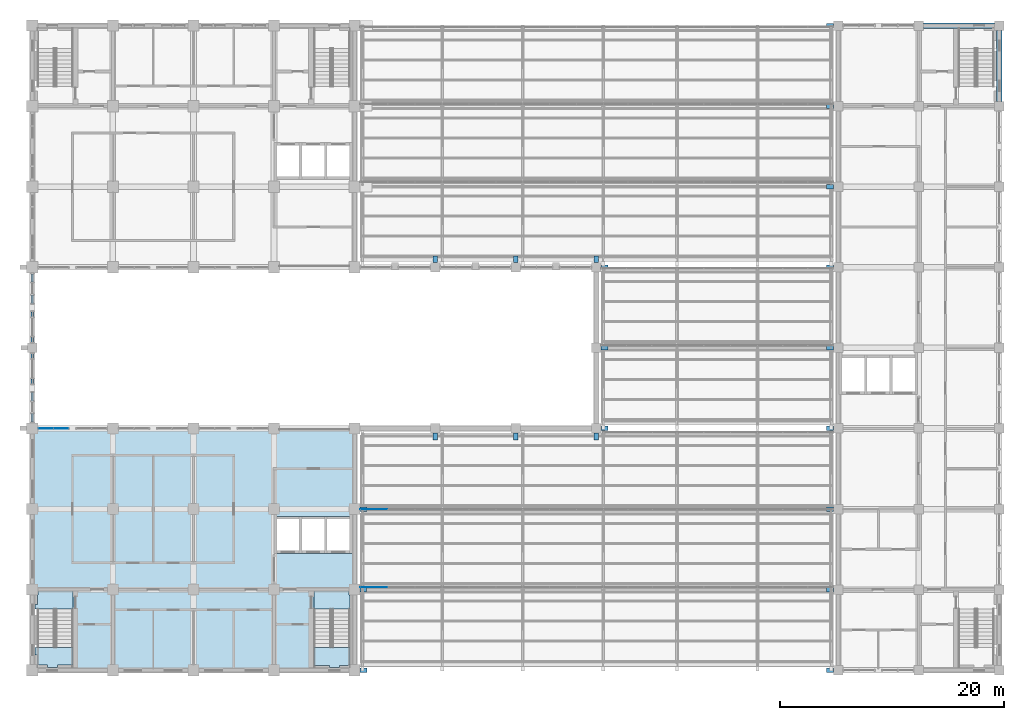
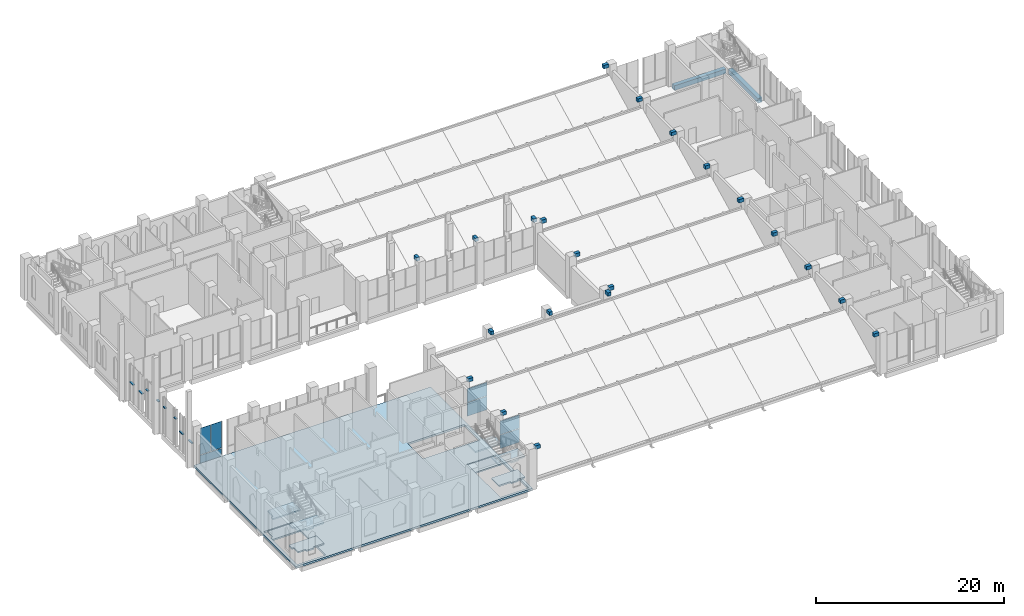
# One storey, part 59 of 83: 29 members, 9 slabs, 7 plates, 2 beams, 9 elements without a shape of their own.
"""IFC4 building model written with IfcOpenShell, lengths in metres."""

from ifc_helpers import new_model, si_unit, direction, frame, origin, origin_2d, place, context, subcontext, project, spatial, polyline, rectangle, hollow_rectangle, outline, extrude, material, layer, layer_set, material_profile, profile_set, type_object, element, aggregate, save


model = new_model("IFC4")

# Units and contexts
model_context = context("Model", 3, precision=1e-05, world=origin(), true_north=direction((0.0, 1.0)))
body_context = subcontext(model_context, "Body", "Model", "MODEL_VIEW")
ifc_project = project(units=[si_unit("LENGTHUNIT", "METRE"), si_unit("AREAUNIT", "SQUARE_METRE"), si_unit("VOLUMEUNIT", "CUBIC_METRE"), si_unit("PLANEANGLEUNIT", "RADIAN"), si_unit("MASSUNIT", "GRAM", prefix="KILO")], contexts=[model_context])

# Site, building, storey
site_placement = place(None, origin())
site = spatial("IfcSite", under=ifc_project, at=site_placement, CompositionType="ELEMENT")
building_placement = place(site_placement, origin())
building = spatial("IfcBuilding", under=site, at=building_placement, Name="Silangan Lancet Faculty of Sciences", CompositionType="ELEMENT")
storey_placement = place(building_placement, frame((0.0, 0.0, 11.39990234375)))
storey = spatial("IfcBuildingStorey", under=building, at=storey_placement, Name="L02", CompositionType="ELEMENT", Elevation=11.39990234375)

# Beams
ifc_material_1 = material(Name="Concrete C40/50", Category="concrete")
ifc_material_profile_1 = material_profile(ifc_material_1, rectangle(XDim=0.5, YDim=0.60009765625, at=origin_2d()), Name="RC 500x600")
ifc_profile_set_1 = profile_set([ifc_material_profile_1], Name="Concrete C40/50")
beam_type = type_object("IfcBeamType", Name="BEAM RC 500x600", PredefinedType="BEAM", material=ifc_profile_set_1)
for number, where, z_axis, x_axis, name in (
    (1, (79.625, 57.60009765625, -0.5498046875), (1.0, 0.0, 0.0), (0.0, 1.0, 0.0), "BM-L02-12I-13I"),
    (2, (86.39990234375, 50.824951171875, -0.5498046875), (0.0, 1.0, 0.0), (-1.0, 0.0, 0.0), "BM-L02-13H-13I"),
):
    element("IfcBeam", number, at=place(storey_placement, frame(where, z_axis=z_axis, x_axis=x_axis)), inside=storey, type_object=beam_type, Name=name, PredefinedType="BEAM", context=body_context, shape_type="SweptSolid", body=[
        extrude(rectangle(XDim=0.5, YDim=0.60009765625, at=origin_2d()), origin(), (0.0, 0.0, 1.0), 6.35009765625),
    ])

# Curtain wall, members
ifc_material_2 = material(Name="Aluminium framed curtain wall with insulated glass", Category="aluminium")
curtain_wall_type_1 = type_object("IfcCurtainWallType", Name="CW3 West stepped lancet window", PredefinedType="NOTDEFINED", material=ifc_material_2)
curtain_wall_1_placement = place(storey_placement, origin())
curtain_wall_1 = element("IfcCurtainWall", 3, at=curtain_wall_1_placement, inside=storey, type_object=curtain_wall_type_1, Name="CW3 West window L02 bay 1", PredefinedType="NOTDEFINED")
ifc_material_3 = material(Name="Aluminium 6063-T6 extrusion", Category="aluminium")
ifc_material_profile_2 = material_profile(ifc_material_3, hollow_rectangle(XDim=0.25, YDim=0.10009765625, WallThickness=0.0048828125, at=origin_2d()), Name="AL BOX 250x100x5")
ifc_profile_set_2 = profile_set([ifc_material_profile_2], Name="Aluminium 6063-T6 extrusion")
member_type_1 = type_object("IfcMemberType", Name="CT3 Transom 250x100", PredefinedType="USERDEFINED", material=ifc_profile_set_2)
member_1_placement = place(storey_placement, frame((0.0, 22.175048828125, 2.4501953125), z_axis=(0.0, 1.0, 0.0), x_axis=(-1.0, 0.0, 0.0)))
member_1 = element("IfcMember", 4, at=member_1_placement, type_object=member_type_1, Name="CW3 West window L02 bay 1 transom 1", ObjectType="TRANSOM", PredefinedType="USERDEFINED", context=body_context, shape_type="SweptSolid", body=[
    extrude(hollow_rectangle(XDim=0.25, YDim=0.10009765625, WallThickness=0.0048828125, at=origin_2d()), origin(), (0.0, 0.0, 1.0), 0.75),
])
member_2_placement = place(storey_placement, frame((0.0, 24.074951171875, 2.4501953125), z_axis=(0.0, 1.0, 0.0), x_axis=(-1.0, 0.0, 0.0)))
member_2 = element("IfcMember", 5, at=member_2_placement, type_object=member_type_1, Name="CW3 West window L02 bay 1 transom 2", ObjectType="TRANSOM", PredefinedType="USERDEFINED", context=body_context, shape_type="SweptSolid", body=[
    extrude(hollow_rectangle(XDim=0.25, YDim=0.10009765625, WallThickness=0.0048828125, at=origin_2d()), origin(), (0.0, 0.0, 1.0), 0.75),
])
aggregate(curtain_wall_1, [member_1, member_2])

ifc_material_4 = material(Name="Aluminium framed curtain wall with insulated glass", Category="aluminium")
curtain_wall_type_2 = type_object("IfcCurtainWallType", Name="CW6 West window middle bays", PredefinedType="NOTDEFINED", material=ifc_material_4)
curtain_wall_2_placement = place(storey_placement, origin())
curtain_wall_2 = element("IfcCurtainWall", 6, at=curtain_wall_2_placement, inside=storey, type_object=curtain_wall_type_2, Name="CW6 West window L02 bay 2", PredefinedType="NOTDEFINED")
member_3_placement = place(storey_placement, frame((0.0, 25.574951171875, 3.550048828125), z_axis=(0.0, 1.0, 0.0), x_axis=(-1.0, 0.0, 0.0)))
member_3 = element("IfcMember", 7, at=member_3_placement, type_object=member_type_1, Name="CW6 West window L02 bay 2 transom 1", ObjectType="TRANSOM", PredefinedType="USERDEFINED", context=body_context, shape_type="SweptSolid", body=[
    extrude(hollow_rectangle(XDim=0.25, YDim=0.10009765625, WallThickness=0.0048828125, at=origin_2d()), origin(), (0.0, 0.0, 1.0), 0.449951171875),
])
member_4_placement = place(storey_placement, frame((0.0, 27.85009765625, 3.550048828125), z_axis=(0.0, 1.0, 0.0), x_axis=(-1.0, 0.0, 0.0)))
member_4 = element("IfcMember", 8, at=member_4_placement, type_object=member_type_1, Name="CW6 West window L02 bay 2 transom 2", ObjectType="TRANSOM", PredefinedType="USERDEFINED", context=body_context, shape_type="SweptSolid", body=[
    extrude(hollow_rectangle(XDim=0.25, YDim=0.10009765625, WallThickness=0.0048828125, at=origin_2d()), origin(), (0.0, 0.0, 1.0), 0.449951171875),
])
aggregate(curtain_wall_2, [member_3, member_4])

curtain_wall_3_placement = place(storey_placement, origin())
curtain_wall_3 = element("IfcCurtainWall", 9, at=curtain_wall_3_placement, inside=storey, type_object=curtain_wall_type_2, Name="CW6 West window L02 bay 3", PredefinedType="NOTDEFINED")
member_5_placement = place(storey_placement, frame((0.0, 29.300048828125, 3.550048828125), z_axis=(0.0, 1.0, 0.0), x_axis=(-1.0, 0.0, 0.0)))
member_5 = element("IfcMember", 10, at=member_5_placement, type_object=member_type_1, Name="CW6 West window L02 bay 3 transom 1", ObjectType="TRANSOM", PredefinedType="USERDEFINED", context=body_context, shape_type="SweptSolid", body=[
    extrude(hollow_rectangle(XDim=0.25, YDim=0.10009765625, WallThickness=0.0048828125, at=origin_2d()), origin(), (0.0, 0.0, 1.0), 0.449951171875),
])
member_6_placement = place(storey_placement, frame((0.0, 31.574951171875, 3.550048828125), z_axis=(0.0, 1.0, 0.0), x_axis=(-1.0, 0.0, 0.0)))
member_6 = element("IfcMember", 11, at=member_6_placement, type_object=member_type_1, Name="CW6 West window L02 bay 3 transom 2", ObjectType="TRANSOM", PredefinedType="USERDEFINED", context=body_context, shape_type="SweptSolid", body=[
    extrude(hollow_rectangle(XDim=0.25, YDim=0.10009765625, WallThickness=0.0048828125, at=origin_2d()), origin(), (0.0, 0.0, 1.0), 0.449951171875),
])
aggregate(curtain_wall_3, [member_5, member_6])

curtain_wall_4_placement = place(storey_placement, origin())
curtain_wall_4 = element("IfcCurtainWall", 12, at=curtain_wall_4_placement, inside=storey, type_object=curtain_wall_type_1, Name="CW3 West window L02 bay 4", PredefinedType="NOTDEFINED")
member_7_placement = place(storey_placement, frame((0.0, 32.77490234375, 2.4501953125), z_axis=(0.0, 1.0, 0.0), x_axis=(-1.0, 0.0, 0.0)))
member_7 = element("IfcMember", 13, at=member_7_placement, type_object=member_type_1, Name="CW3 West window L02 bay 4 transom 1", ObjectType="TRANSOM", PredefinedType="USERDEFINED", context=body_context, shape_type="SweptSolid", body=[
    extrude(hollow_rectangle(XDim=0.25, YDim=0.10009765625, WallThickness=0.0048828125, at=origin_2d()), origin(), (0.0, 0.0, 1.0), 0.75),
])
member_8_placement = place(storey_placement, frame((0.0, 34.675048828125, 2.4501953125), z_axis=(0.0, 1.0, 0.0), x_axis=(-1.0, 0.0, 0.0)))
member_8 = element("IfcMember", 14, at=member_8_placement, type_object=member_type_1, Name="CW3 West window L02 bay 4 transom 2", ObjectType="TRANSOM", PredefinedType="USERDEFINED", context=body_context, shape_type="SweptSolid", body=[
    extrude(hollow_rectangle(XDim=0.25, YDim=0.10009765625, WallThickness=0.0048828125, at=origin_2d()), origin(), (0.0, 0.0, 1.0), 0.75),
])
aggregate(curtain_wall_4, [member_7, member_8])

# Members
ifc_material_5 = material(Name="Concrete C40/50 precast", Category="concrete")
ifc_material_profile_3 = material_profile(ifc_material_5, rectangle(XDim=0.39990234375, YDim=0.449951171875, at=origin_2d()), Name="RC 400x450")
ifc_profile_set_3 = profile_set([ifc_material_profile_3], Name="Concrete C40/50 precast")
member_type_2 = type_object("IfcMemberType", Name="KC2 Buttress corbel 400x450", PredefinedType="USERDEFINED", material=ifc_profile_set_3)
member_9_placement = place(storey_placement, frame((29.300048828125, 0.0, 5.175048828125), z_axis=(1.0, 0.0, 0.0), x_axis=(0.0, 1.0, 0.0)))
element("IfcMember", 15, at=member_9_placement, inside=storey, type_object=member_type_2, Name="CORBEL-FINC-E-ST-01", ObjectType="CORBEL", PredefinedType="USERDEFINED", context=body_context, shape_type="SweptSolid", body=[
    extrude(rectangle(XDim=0.39990234375, YDim=0.449951171875, at=origin_2d()), origin(), (0.0, 0.0, 1.0), 0.60009765625),
])
member_10_placement = place(storey_placement, frame((29.300048828125, 7.199951171875, 5.175048828125), z_axis=(1.0, 0.0, 0.0), x_axis=(0.0, 1.0, 0.0)))
element("IfcMember", 16, at=member_10_placement, inside=storey, type_object=member_type_2, Name="CORBEL-FINC-E-ST-02", ObjectType="CORBEL", PredefinedType="USERDEFINED", context=body_context, shape_type="SweptSolid", body=[
    extrude(rectangle(XDim=0.39990234375, YDim=0.449951171875, at=origin_2d()), origin(), (0.0, 0.0, 1.0), 0.550048828125),
])
for number, where, z_axis, x_axis, name in (
    (17, (29.300048828125, 14.39990234375, 5.175048828125), (1.0, 0.0, 0.0), (0.0, 1.0, 0.0), "CORBEL-FINC-E-ST-03"),
    (18, (36.0, 21.175048828125, 5.175048828125), (0.0, -1.0, 0.0), (1.0, 0.0, 0.0), "CORBEL-FINC-S-NAVE-CL-01"),
    (19, (36.0, 36.425048828125, 5.175048828125), (0.0, 1.0, 0.0), (-1.0, 0.0, 0.0), "CORBEL-FINC-N-NAVE-CL-01"),
    (20, (43.199951171875, 21.175048828125, 5.175048828125), (0.0, -1.0, 0.0), (1.0, 0.0, 0.0), "CORBEL-FINC-S-NAVE-CL-02"),
    (21, (43.199951171875, 36.425048828125, 5.175048828125), (0.0, 1.0, 0.0), (-1.0, 0.0, 0.0), "CORBEL-FINC-N-NAVE-CL-02"),
    (22, (50.39990234375, 21.175048828125, 5.175048828125), (0.0, -1.0, 0.0), (1.0, 0.0, 0.0), "CORBEL-FINC-S-NAVE-CL-03"),
    (23, (50.824951171875, 21.60009765625, 5.175048828125), (1.0, 0.0, 0.0), (0.0, 1.0, 0.0), "CORBEL-FINC-E-NAVE-01"),
    (24, (50.824951171875, 28.800048828125, 5.175048828125), (1.0, 0.0, 0.0), (0.0, 1.0, 0.0), "CORBEL-FINC-E-NAVE-02"),
    (25, (50.39990234375, 36.425048828125, 5.175048828125), (0.0, 1.0, 0.0), (-1.0, 0.0, 0.0), "CORBEL-FINC-N-NAVE-CL-03"),
    (26, (50.824951171875, 36.0, 5.175048828125), (1.0, 0.0, 0.0), (0.0, 1.0, 0.0), "CORBEL-FINC-E-NAVE-03"),
    (27, (71.574951171875, 0.0, 5.175048828125), (-1.0, 0.0, 0.0), (0.0, -1.0, 0.0), "CORBEL-FINC-W-EB-01"),
    (28, (71.574951171875, 7.199951171875, 5.175048828125), (-1.0, 0.0, 0.0), (0.0, -1.0, 0.0), "CORBEL-FINC-W-EB-02"),
    (29, (71.574951171875, 14.39990234375, 5.175048828125), (-1.0, 0.0, 0.0), (0.0, -1.0, 0.0), "CORBEL-FINC-W-EB-03"),
    (30, (71.574951171875, 21.60009765625, 5.175048828125), (-1.0, 0.0, 0.0), (0.0, -1.0, 0.0), "CORBEL-FINC-W-EB-04"),
    (31, (71.574951171875, 28.800048828125, 5.175048828125), (-1.0, 0.0, 0.0), (0.0, -1.0, 0.0), "CORBEL-FINC-W-EB-05"),
    (32, (71.574951171875, 36.0, 5.175048828125), (-1.0, 0.0, 0.0), (0.0, -1.0, 0.0), "CORBEL-FINC-W-EB-06"),
    (33, (71.574951171875, 43.199951171875, 5.175048828125), (-1.0, 0.0, 0.0), (0.0, -1.0, 0.0), "CORBEL-FINC-W-EB-07"),
    (34, (71.574951171875, 50.39990234375, 5.175048828125), (-1.0, 0.0, 0.0), (0.0, -1.0, 0.0), "CORBEL-FINC-W-EB-08"),
    (35, (71.574951171875, 57.60009765625, 5.175048828125), (-1.0, 0.0, 0.0), (0.0, -1.0, 0.0), "CORBEL-FINC-W-EB-09"),
):
    element("IfcMember", number, at=place(storey_placement, frame(where, z_axis=z_axis, x_axis=x_axis)), inside=storey, type_object=member_type_2, Name=name, ObjectType="CORBEL", PredefinedType="USERDEFINED", context=body_context, shape_type="SweptSolid", body=[
        extrude(rectangle(XDim=0.39990234375, YDim=0.449951171875, at=origin_2d()), origin(), (0.0, 0.0, 1.0), 0.60009765625),
    ])

# Curtain wall, plates
ifc_material_6 = material(Name="Aluminium framed curtain wall with insulated glass", Category="aluminium")
curtain_wall_type_3 = type_object("IfcCurtainWallType", Name="CW2 Atrium fire-resisting screen", PredefinedType="NOTDEFINED", material=ifc_material_6)
curtain_wall_5_placement = place(storey_placement, origin())
curtain_wall_5 = element("IfcCurtainWall", 36, at=curtain_wall_5_placement, inside=storey, type_object=curtain_wall_type_3, Name="CW2 Atrium south L02 bay 6", PredefinedType="NOTDEFINED")
ifc_material_7 = material(Name="Fire-resisting glass unit 40 mm, integrity E", Category="glass")
ifc_layer_1 = layer(ifc_material_7, 0.0400390625)
ifc_layer_set_1 = layer_set([ifc_layer_1], Name="Fire-resisting glass unit 40 mm, integrity E")
plate_type_1 = type_object("IfcPlateType", Name="CP3 Panel fire-resisting glass 40", PredefinedType="CURTAIN_PANEL", material=ifc_layer_set_1)
plate_1_placement = place(storey_placement, frame((1.900146484375, 21.60009765625, 0.000244140625), z_axis=(0.0, 0.0, 1.0), x_axis=(-1.0, 0.0, 0.0)))
plate_1 = element("IfcPlate", 37, at=plate_1_placement, type_object=plate_type_1, Name="CW2 Atrium south L02 bay 6 panel 1", PredefinedType="CURTAIN_PANEL", context=body_context, shape_type="SweptSolid", body=[
    extrude(rectangle(XDim=2.650146484375, YDim=0.0400390625, at=origin_2d()), origin(), (0.0, 0.0, 1.0), 1.02490234375),
])
plate_2_placement = place(storey_placement, frame((2.581298828125, 21.60009765625, 1.10009765625), z_axis=(0.0, 0.0, 1.0), x_axis=(-1.0, 0.0, 0.0)))
plate_2 = element("IfcPlate", 38, at=plate_2_placement, type_object=plate_type_1, Name="CW2 Atrium south L02 bay 6 panel 2", PredefinedType="CURTAIN_PANEL", context=body_context, shape_type="SweptSolid", body=[
    extrude(rectangle(XDim=1.28759765625, YDim=0.0400390625, at=origin_2d()), origin(), (0.0, 0.0, 1.0), 3.449951171875),
])
plate_3_placement = place(storey_placement, frame((1.21875, 21.60009765625, 1.10009765625), z_axis=(0.0, 0.0, 1.0), x_axis=(-1.0, 0.0, 0.0)))
plate_3 = element("IfcPlate", 39, at=plate_3_placement, type_object=plate_type_1, Name="CW2 Atrium south L02 bay 6 panel 3", PredefinedType="CURTAIN_PANEL", context=body_context, shape_type="SweptSolid", body=[
    extrude(rectangle(XDim=1.28759765625, YDim=0.0400390625, at=origin_2d()), origin(), (0.0, 0.0, 1.0), 3.449951171875),
])
aggregate(curtain_wall_5, [plate_1, plate_2, plate_3])

ifc_material_8 = material(Name="Aluminium and laminated glass", Category="aluminium")
curtain_wall_type_4 = type_object("IfcCurtainWallType", Name="North light glazing system", PredefinedType="NOTDEFINED", material=ifc_material_8)
curtain_wall_6_placement = place(storey_placement, origin())
curtain_wall_6 = element("IfcCurtainWall", 40, at=curtain_wall_6_placement, inside=storey, type_object=curtain_wall_type_4, Name="North light glazing SAB-1-1", PredefinedType="NOTDEFINED")
ifc_material_9 = material(Name="Laminated glass 12 + 12", Category="glass")
ifc_layer_2 = layer(ifc_material_9, 0.02392578125)
ifc_layer_set_2 = layer_set([ifc_layer_2], Name="Laminated glass 12 + 12")
plate_type_2 = type_object("IfcPlateType", Name="North light glass panel 2432x1768", PredefinedType="CURTAIN_PANEL", material=ifc_layer_set_2)
plate_4_placement = place(storey_placement, frame((29.300048828125, 7.40478515625, 0.4423828125), z_axis=(0.0, -1.0, 0.0), x_axis=(1.0, 0.0, 0.0)))
plate_4 = element("IfcPlate", 41, at=plate_4_placement, type_object=plate_type_2, Name="North light glass SAB-1-1 1-1", PredefinedType="CURTAIN_PANEL", context=body_context, shape_type="SweptSolid", body=[
    extrude(outline(polyline([(0.0, 0.0), (2.431640625, 0.0), (2.431640625, 1.76806640625), (0.0, 1.76806640625), (0.0, 0.0)])), origin(), (0.0, 0.0, -1.0), 0.02392578125),
])
plate_5_placement = place(storey_placement, frame((29.300048828125, 7.40478515625, 2.2705078125), z_axis=(0.0, -1.0, 0.0), x_axis=(1.0, 0.0, 0.0)))
plate_5 = element("IfcPlate", 42, at=plate_5_placement, type_object=plate_type_2, Name="North light glass SAB-1-1 2-1", PredefinedType="CURTAIN_PANEL", context=body_context, shape_type="SweptSolid", body=[
    extrude(outline(polyline([(0.0, 0.0), (2.431640625, 0.0), (2.431640625, 1.767822265625), (0.0, 1.767822265625), (0.0, 0.0)])), origin(), (0.0, 0.0, -1.0), 0.02392578125),
])
aggregate(curtain_wall_6, [plate_4, plate_5])

curtain_wall_7_placement = place(storey_placement, origin())
curtain_wall_7 = element("IfcCurtainWall", 43, at=curtain_wall_7_placement, inside=storey, type_object=curtain_wall_type_4, Name="North light glazing SAB-2-1", PredefinedType="NOTDEFINED")
plate_6_placement = place(storey_placement, frame((29.300048828125, 14.3662109375, 0.4423828125), z_axis=(0.0, -1.0, 0.0), x_axis=(1.0, 0.0, 0.0)))
plate_6 = element("IfcPlate", 44, at=plate_6_placement, type_object=plate_type_2, Name="North light glass SAB-2-1 1-1", PredefinedType="CURTAIN_PANEL", context=body_context, shape_type="SweptSolid", body=[
    extrude(outline(polyline([(0.0, 0.0), (2.431640625, 0.0), (2.431640625, 1.76806640625), (0.0, 1.76806640625), (0.0, 0.0)])), origin(), (0.0, 0.0, -1.0), 0.02392578125),
])
plate_7_placement = place(storey_placement, frame((29.300048828125, 14.3662109375, 2.2705078125), z_axis=(0.0, -1.0, 0.0), x_axis=(1.0, 0.0, 0.0)))
plate_7 = element("IfcPlate", 45, at=plate_7_placement, type_object=plate_type_2, Name="North light glass SAB-2-1 2-1", PredefinedType="CURTAIN_PANEL", context=body_context, shape_type="SweptSolid", body=[
    extrude(outline(polyline([(0.0, 0.0), (2.431640625, 0.0), (2.431640625, 1.767822265625), (0.0, 1.767822265625), (0.0, 0.0)])), origin(), (0.0, 0.0, -1.0), 0.02392578125),
])
aggregate(curtain_wall_7, [plate_6, plate_7])

# Slab
ifc_material_10 = material(Name="Concrete C35/45", Category="concrete")
ifc_layer_3 = layer(ifc_material_10, 0.25)
ifc_layer_set_3 = layer_set([ifc_layer_3], Name="Concrete C35/45")
slab_type_1 = type_object("IfcSlabType", Name="SLAB FLOOR 250", PredefinedType="FLOOR", material=ifc_layer_set_3)
slab_1_placement = place(storey_placement, frame((0.0, 0.0, -0.25)))
element("IfcSlab", 46, at=slab_1_placement, inside=storey, type_object=slab_type_1, Name="SLAB-L02-ST", PredefinedType="FLOOR", context=body_context, shape_type="SweptSolid", body=[
    extrude(outline(polyline([(-0.14990234375, 21.60009765625), (-0.14990234375, -0.14990234375), (28.949951171875, -0.14990234375), (28.949951171875, 21.60009765625), (-0.14990234375, 21.60009765625)]), holes=[polyline([(0.14990234375, 7.199951171875), (3.64990234375, 7.199951171875), (3.64990234375, 0.14990234375), (0.14990234375, 0.14990234375), (0.14990234375, 7.199951171875)]), polyline([(25.14990234375, 0.14990234375), (25.14990234375, 7.199951171875), (28.64990234375, 7.199951171875), (28.64990234375, 0.14990234375), (25.14990234375, 0.14990234375)]), polyline([(21.60009765625, 13.75), (28.60009765625, 13.75), (28.60009765625, 10.449951171875), (21.60009765625, 10.449951171875), (21.60009765625, 13.75)])]), origin(), (0.0, 0.0, 1.0), 0.25),
])

# Stair, slabs
ifc_material_11 = material(Name="Concrete C40/50", Category="concrete")
stair_type = type_object("IfcStairType", Name="TURRET STAIR 1550 FOUR-FLIGHT", PredefinedType="DOUBLE_RETURN_STAIR", material=ifc_material_11)
stair_1_placement = place(storey_placement, origin())
stair_1 = element("IfcStair", 47, at=stair_1_placement, inside=storey, type_object=stair_type, Name="ST-A stair L02", PredefinedType="DOUBLE_RETURN_STAIR")
ifc_material_12 = material(Name="Concrete C40/50", Category="concrete")
ifc_layer_4 = layer(ifc_material_12, 0.179931640625)
ifc_layer_set_4 = layer_set([ifc_layer_4], Name="Concrete C40/50")
slab_type_2 = type_object("IfcSlabType", Name="TURRET STAIR LANDING RC 180", PredefinedType="LANDING", material=ifc_layer_set_4)
slab_2_placement = place(storey_placement, frame((0.0, 0.0, -0.179931640625)))
slab_2 = element("IfcSlab", 48, at=slab_2_placement, type_object=slab_type_2, Name="STR1 landing 1", PredefinedType="LANDING", context=body_context, shape_type="SweptSolid", body=[
    extrude(outline(polyline([(3.64990234375, 7.074951171875), (3.64990234375, 5.449951171875), (0.22509765625, 5.449951171875), (0.22509765625, 5.85009765625), (0.449951171875, 5.85009765625), (0.449951171875, 6.699951171875), (0.5, 6.699951171875), (0.5, 7.074951171875), (3.64990234375, 7.074951171875)])), origin(), (0.0, 0.0, 1.0), 0.179931640625),
])
slab_3_placement = place(storey_placement, frame((0.0, 0.0, 1.170166015625)))
slab_3 = element("IfcSlab", 49, at=slab_3_placement, type_object=slab_type_2, Name="STR1 landing 2", PredefinedType="LANDING", context=body_context, shape_type="SweptSolid", body=[
    extrude(outline(polyline([(1.35009765625, 0.449951171875), (0.5, 0.449951171875), (0.5, 0.5), (0.449951171875, 0.5), (0.449951171875, 1.35009765625), (0.22509765625, 1.35009765625), (0.22509765625, 2.050048828125), (3.64990234375, 2.050048828125), (3.64990234375, 0.449951171875), (2.25, 0.449951171875), (2.25, 0.22509765625), (1.35009765625, 0.22509765625), (1.35009765625, 0.449951171875)])), origin(), (0.0, 0.0, 1.0), 0.179931640625),
])
slab_4_placement = place(storey_placement, frame((0.0, 0.0, 2.52001953125)))
slab_4 = element("IfcSlab", 50, at=slab_4_placement, type_object=slab_type_2, Name="STR1 landing 3", PredefinedType="LANDING", context=body_context, shape_type="SweptSolid", body=[
    extrude(outline(polyline([(3.64990234375, 7.074951171875), (3.64990234375, 5.449951171875), (0.22509765625, 5.449951171875), (0.22509765625, 5.85009765625), (0.449951171875, 5.85009765625), (0.449951171875, 6.699951171875), (0.5, 6.699951171875), (0.5, 7.074951171875), (3.64990234375, 7.074951171875)])), origin(), (0.0, 0.0, 1.0), 0.18017578125),
])
slab_5_placement = place(storey_placement, frame((0.0, 0.0, 3.8701171875)))
slab_5 = element("IfcSlab", 51, at=slab_5_placement, type_object=slab_type_2, Name="STR1 landing 4", PredefinedType="LANDING", context=body_context, shape_type="SweptSolid", body=[
    extrude(outline(polyline([(1.35009765625, 0.449951171875), (0.5, 0.449951171875), (0.5, 0.5), (0.449951171875, 0.5), (0.449951171875, 1.35009765625), (0.22509765625, 1.35009765625), (0.22509765625, 2.050048828125), (3.64990234375, 2.050048828125), (3.64990234375, 0.449951171875), (2.25, 0.449951171875), (2.25, 0.22509765625), (1.35009765625, 0.22509765625), (1.35009765625, 0.449951171875)])), origin(), (0.0, 0.0, 1.0), 0.179931640625),
])
aggregate(stair_1, [slab_2, slab_3, slab_4, slab_5])

stair_2_placement = place(storey_placement, origin())
stair_2 = element("IfcStair", 52, at=stair_2_placement, inside=storey, type_object=stair_type, Name="ST-B stair L02", PredefinedType="DOUBLE_RETURN_STAIR")
slab_6_placement = place(storey_placement, frame((0.0, 0.0, -0.179931640625)))
slab_6 = element("IfcSlab", 53, at=slab_6_placement, type_object=slab_type_2, Name="STR2 landing 1", PredefinedType="LANDING", context=body_context, shape_type="SweptSolid", body=[
    extrude(outline(polyline([(28.300048828125, 7.074951171875), (28.300048828125, 6.699951171875), (28.375, 6.699951171875), (28.375, 5.449951171875), (25.14990234375, 5.449951171875), (25.14990234375, 7.074951171875), (28.300048828125, 7.074951171875)])), origin(), (0.0, 0.0, 1.0), 0.179931640625),
])
slab_7_placement = place(storey_placement, frame((0.0, 0.0, 1.170166015625)))
slab_7 = element("IfcSlab", 54, at=slab_7_placement, type_object=slab_type_2, Name="STR2 landing 2", PredefinedType="LANDING", context=body_context, shape_type="SweptSolid", body=[
    extrude(outline(polyline([(28.375, 0.5), (28.300048828125, 0.5), (28.300048828125, 0.425048828125), (27.449951171875, 0.425048828125), (27.449951171875, 0.22509765625), (26.550048828125, 0.22509765625), (26.550048828125, 0.425048828125), (25.14990234375, 0.425048828125), (25.14990234375, 2.050048828125), (28.375, 2.050048828125), (28.375, 0.5)])), origin(), (0.0, 0.0, 1.0), 0.179931640625),
])
slab_8_placement = place(storey_placement, frame((0.0, 0.0, 2.52001953125)))
slab_8 = element("IfcSlab", 55, at=slab_8_placement, type_object=slab_type_2, Name="STR2 landing 3", PredefinedType="LANDING", context=body_context, shape_type="SweptSolid", body=[
    extrude(outline(polyline([(28.300048828125, 7.074951171875), (28.300048828125, 6.699951171875), (28.375, 6.699951171875), (28.375, 5.449951171875), (25.14990234375, 5.449951171875), (25.14990234375, 7.074951171875), (28.300048828125, 7.074951171875)])), origin(), (0.0, 0.0, 1.0), 0.18017578125),
])
slab_9_placement = place(storey_placement, frame((0.0, 0.0, 3.8701171875)))
slab_9 = element("IfcSlab", 56, at=slab_9_placement, type_object=slab_type_2, Name="STR2 landing 4", PredefinedType="LANDING", context=body_context, shape_type="SweptSolid", body=[
    extrude(outline(polyline([(28.375, 0.5), (28.300048828125, 0.5), (28.300048828125, 0.425048828125), (27.449951171875, 0.425048828125), (27.449951171875, 0.22509765625), (26.550048828125, 0.22509765625), (26.550048828125, 0.425048828125), (25.14990234375, 0.425048828125), (25.14990234375, 2.050048828125), (28.375, 2.050048828125), (28.375, 0.5)])), origin(), (0.0, 0.0, 1.0), 0.179931640625),
])
aggregate(stair_2, [slab_6, slab_7, slab_8, slab_9])

save(model, "model.ifc")
